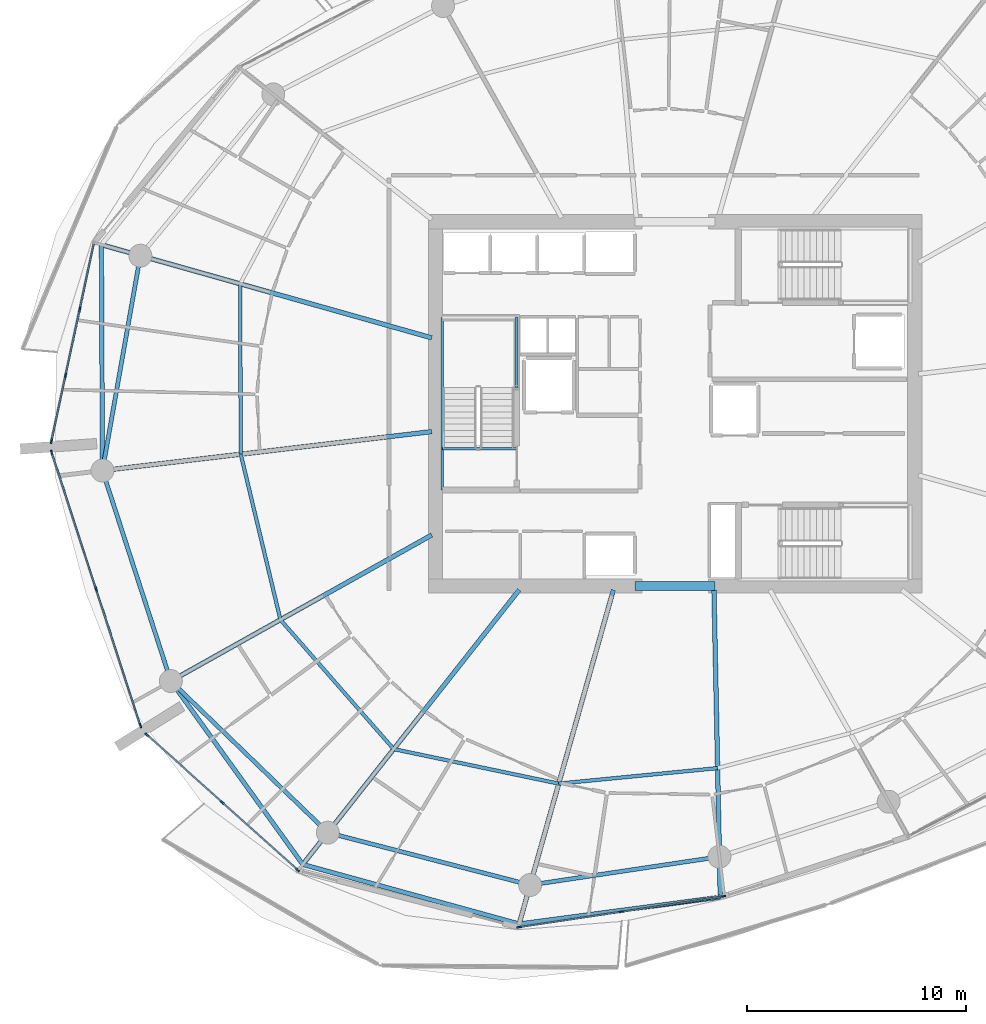
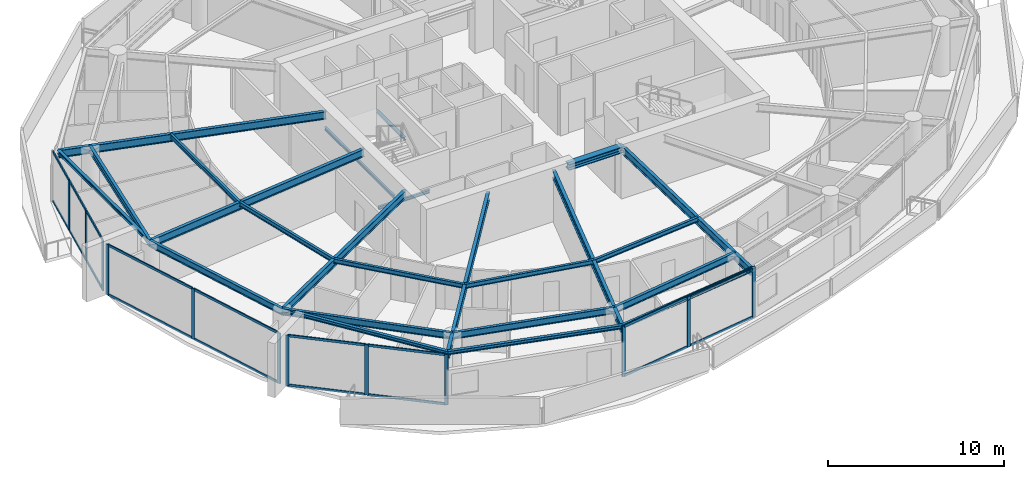
# One storey, part 5 of 21: 30 members, 24 beams, 4 elements without a shape of their own.
"""IFC4 building model written with IfcOpenShell, lengths in metres."""

from ifc_helpers import new_model, si_unit, direction, frame, origin, origin_2d, place, context, subcontext, project, spatial, rectangle, i_section, extrude, material, layer, layer_set, material_profile, profile_set, type_object, element, aggregate, save


model = new_model("IFC4")

# Units and contexts
model_context = context("Model", 3, precision=1e-05, world=origin(), true_north=direction((0.0, 1.0)))
body_context = subcontext(model_context, "Body", "Model", "MODEL_VIEW")
ifc_project = project(units=[si_unit("LENGTHUNIT", "METRE"), si_unit("AREAUNIT", "SQUARE_METRE"), si_unit("VOLUMEUNIT", "CUBIC_METRE"), si_unit("PLANEANGLEUNIT", "RADIAN"), si_unit("MASSUNIT", "GRAM", prefix="KILO")], contexts=[model_context])

# Site, building, storey
site_placement = place(None, origin())
site = spatial("IfcSite", under=ifc_project, at=site_placement, CompositionType="ELEMENT")
building_placement = place(site_placement, origin())
building = spatial("IfcBuilding", under=site, at=building_placement, Name="Kazma Halo Residences", CompositionType="ELEMENT")
storey_placement = place(building_placement, frame((0.0, 0.0, 180.300048828125)))
storey = spatial("IfcBuildingStorey", under=building, at=storey_placement, Name="L45", CompositionType="ELEMENT", Elevation=180.300048828125)

# Beams
ifc_material_1 = material(Name="Steel S355", Category="steel")
ifc_material_profile_1 = material_profile(ifc_material_1, i_section(OverallWidth=0.201904296875, OverallDepth=0.2470703125, WebThickness=0.00732421875, FlangeThickness=0.010986328125, FilletRadius=0.011962890625, at=origin_2d()), Name="W250x49.1")
ifc_profile_set_1 = profile_set([ifc_material_profile_1], Name="Steel S355")
beam_type_1 = type_object("IfcBeamType", Name="BM-BAL-CANT", PredefinedType="BEAM", material=ifc_profile_set_1)
for number, where, z_axis, x_axis, name in (
    (1, (22.19970703125, 49.276611328125, 3.37646484375), (0.004705663334, -0.999988928305, 0.0), (0.999988928305, 0.004705663334, 0.0), "L45 wave-balcony tie beam 07"),
    (2, (25.375, 29.329345703125, 3.37646484375), (0.583963922576, -0.811779611181, 0.0), (0.811779611181, 0.583963922576, 0.0), "L45 wave-balcony lead tie beam 09"),
):
    element("IfcBeam", number, at=place(storey_placement, frame(where, z_axis=z_axis, x_axis=x_axis)), inside=storey, type_object=beam_type_1, Name=name, PredefinedType="BEAM", context=body_context, shape_type="SweptSolid", body=[
        extrude(i_section(OverallWidth=0.201904296875, OverallDepth=0.2470703125, WebThickness=0.00732421875, FlangeThickness=0.010986328125, FilletRadius=0.011962890625, at=origin_2d()), origin(), (0.0, 0.0, 1.0), 10.324462890625),
    ])
beam_1_placement = place(storey_placement, frame((31.404052734375, 20.9482421875, 3.37646484375), z_axis=(0.964197026197, -0.265186905169, 0.0), x_axis=(0.265186905169, 0.964197026197, 0.0)))
element("IfcBeam", 3, at=beam_1_placement, inside=storey, type_object=beam_type_1, Name="L45 wave-balcony tie beam 10", PredefinedType="BEAM", context=body_context, shape_type="SweptSolid", body=[
    extrude(i_section(OverallWidth=0.201904296875, OverallDepth=0.2470703125, WebThickness=0.00732421875, FlangeThickness=0.010986328125, FilletRadius=0.011962890625, at=origin_2d()), origin(), (0.0, 0.0, 1.0), 10.258544921875),
])
beam_2_placement = place(storey_placement, frame((41.29541015625, 18.227783203125, 3.37646484375), z_axis=(0.99126671613, 0.131872277199, 0.0), x_axis=(-0.131872277199, 0.99126671613, 0.0)))
element("IfcBeam", 4, at=beam_2_placement, inside=storey, type_object=beam_type_1, Name="L45 wave-balcony tie beam 11", PredefinedType="BEAM", context=body_context, shape_type="SweptSolid", body=[
    extrude(i_section(OverallWidth=0.201904296875, OverallDepth=0.2470703125, WebThickness=0.00732421875, FlangeThickness=0.010986328125, FilletRadius=0.011962890625, at=origin_2d()), origin(), (0.0, 0.0, 1.0), 9.2734375),
])
ifc_material_profile_2 = material_profile(ifc_material_1, i_section(OverallWidth=0.408935546875, OverallDepth=0.425048828125, WebThickness=0.03271484375, FlangeThickness=0.052490234375, FilletRadius=0.02001953125, at=origin_2d()), Name="W360x421")
ifc_profile_set_2 = profile_set([ifc_material_profile_2], Name="Steel S355")
beam_type_2 = type_object("IfcBeamType", Name="BM-CORE-W360H", PredefinedType="BEAM", material=ifc_profile_set_2)
beam_3_placement = place(storey_placement, frame((46.60009765625, 33.675048828125, 3.287353515625), z_axis=(1.0, 0.0, 0.0), x_axis=(0.0, 1.0, 0.0)))
element("IfcBeam", 5, at=beam_3_placement, inside=storey, type_object=beam_type_2, Name="L45 core coupling beam S", PredefinedType="BEAM", context=body_context, shape_type="SweptSolid", body=[
    extrude(i_section(OverallWidth=0.408935546875, OverallDepth=0.425048828125, WebThickness=0.03271484375, FlangeThickness=0.052490234375, FilletRadius=0.02001953125, at=origin_2d()), origin(), (0.0, 0.0, 1.0), 3.64990234375),
])
ifc_material_profile_3 = material_profile(ifc_material_1, i_section(OverallWidth=0.208984375, OverallDepth=0.532958984375, WebThickness=0.01025390625, FlangeThickness=0.015625, FilletRadius=0.01611328125, at=origin_2d()), Name="W530x92")
ifc_profile_set_3 = profile_set([ifc_material_profile_3], Name="Steel S355")
beam_type_3 = type_object("IfcBeamType", Name="BM-RAD-W530", PredefinedType="BEAM", material=ifc_profile_set_3)
beam_4_placement = place(storey_placement, frame((37.300048828125, 45.017578125, 3.2333984375), z_axis=(-0.962450301448, 0.271457947467, 0.0), x_axis=(-0.271457947467, -0.962450301448, 0.0)))
element("IfcBeam", 6, at=beam_4_placement, inside=storey, type_object=beam_type_3, Name="L45 radial floor beam 07", PredefinedType="BEAM", context=body_context, shape_type="SweptSolid", body=[
    extrude(i_section(OverallWidth=0.208984375, OverallDepth=0.532958984375, WebThickness=0.01025390625, FlangeThickness=0.015625, FilletRadius=0.01611328125, at=origin_2d()), origin(), (0.0, 0.0, 1.0), 15.689453125),
])
beam_5_placement = place(storey_placement, frame((37.300048828125, 40.733642578125, 3.2333984375), z_axis=(-0.993068447674, -0.117537475875, 0.0), x_axis=(0.117537475875, -0.993068447674, 0.0)))
element("IfcBeam", 7, at=beam_5_placement, inside=storey, type_object=beam_type_3, Name="L45 radial floor beam 08", PredefinedType="BEAM", context=body_context, shape_type="SweptSolid", body=[
    extrude(i_section(OverallWidth=0.208984375, OverallDepth=0.532958984375, WebThickness=0.01025390625, FlangeThickness=0.015625, FilletRadius=0.01611328125, at=origin_2d()), origin(), (0.0, 0.0, 1.0), 15.15673828125),
])
beam_6_placement = place(storey_placement, frame((37.300048828125, 36.0078125, 3.2333984375), z_axis=(-0.872492308718, -0.488627845327, 0.0), x_axis=(0.488627845327, -0.872492308718, 0.0)))
element("IfcBeam", 8, at=beam_6_placement, inside=storey, type_object=beam_type_3, Name="L45 radial floor beam 09", PredefinedType="BEAM", context=body_context, shape_type="SweptSolid", body=[
    extrude(i_section(OverallWidth=0.208984375, OverallDepth=0.532958984375, WebThickness=0.01025390625, FlangeThickness=0.015625, FilletRadius=0.01611328125, at=origin_2d()), origin(), (0.0, 0.0, 1.0), 13.667724609375),
])
beam_7_placement = place(storey_placement, frame((41.299072265625, 33.5, 3.2333984375), z_axis=(-0.61909439419, -0.785316580165, 0.0), x_axis=(0.785316580165, -0.61909439419, 0.0)))
element("IfcBeam", 9, at=beam_7_placement, inside=storey, type_object=beam_type_3, Name="L45 radial floor beam 10", PredefinedType="BEAM", context=body_context, shape_type="SweptSolid", body=[
    extrude(i_section(OverallWidth=0.208984375, OverallDepth=0.532958984375, WebThickness=0.01025390625, FlangeThickness=0.015625, FilletRadius=0.01611328125, at=origin_2d()), origin(), (0.0, 0.0, 1.0), 15.983154296875),
])
beam_8_placement = place(storey_placement, frame((45.602783203125, 33.5, 3.2333984375), z_axis=(-0.271449932859, -0.962452561922, 0.0), x_axis=(0.962452561922, -0.271449932859, 0.0)))
element("IfcBeam", 10, at=beam_8_placement, inside=storey, type_object=beam_type_3, Name="L45 radial floor beam 11", PredefinedType="BEAM", context=body_context, shape_type="SweptSolid", body=[
    extrude(i_section(OverallWidth=0.208984375, OverallDepth=0.532958984375, WebThickness=0.01025390625, FlangeThickness=0.015625, FilletRadius=0.01611328125, at=origin_2d()), origin(), (0.0, 0.0, 1.0), 15.867919921875),
])
beam_9_placement = place(storey_placement, frame((50.199951171875, 33.5, 3.2333984375), z_axis=(0.020483658838, -0.99979018785, 0.0), x_axis=(0.99979018785, 0.020483658838, 0.0)))
element("IfcBeam", 11, at=beam_9_placement, inside=storey, type_object=beam_type_3, Name="L45 radial floor beam 12", PredefinedType="BEAM", context=body_context, shape_type="SweptSolid", body=[
    extrude(i_section(OverallWidth=0.208984375, OverallDepth=0.532958984375, WebThickness=0.01025390625, FlangeThickness=0.015625, FilletRadius=0.01611328125, at=origin_2d()), origin(), (0.0, 0.0, 1.0), 14.05224609375),
])
ifc_material_profile_4 = material_profile(ifc_material_1, i_section(OverallWidth=0.1650390625, OverallDepth=0.31005859375, WebThickness=0.005859375, FlangeThickness=0.009765625, FilletRadius=0.011962890625, at=origin_2d()), Name="W310x38.7")
ifc_profile_set_4 = profile_set([ifc_material_profile_4], Name="Steel S355")
beam_type_4 = type_object("IfcBeamType", Name="BM-SEC-W310B", PredefinedType="JOIST", material=ifc_profile_set_4)
beam_10_placement = place(storey_placement, frame((28.5419921875, 47.48779296875, 3.344970703125), z_axis=(0.003605218278, -0.999993501179, 0.0), x_axis=(0.999993501179, 0.003605218278, 0.0)))
element("IfcBeam", 12, at=beam_10_placement, inside=storey, type_object=beam_type_4, Name="L45 circumferential floor joist 07", PredefinedType="JOIST", context=body_context, shape_type="SweptSolid", body=[
    extrude(i_section(OverallWidth=0.1650390625, OverallDepth=0.31005859375, WebThickness=0.005859375, FlangeThickness=0.009765625, FilletRadius=0.011962890625, at=origin_2d()), origin(), (0.0, 0.0, 1.0), 7.78759765625),
])
beam_11_placement = place(storey_placement, frame((28.570068359375, 39.7001953125, 3.344970703125), z_axis=(0.233058429286, -0.972462733753, 0.0), x_axis=(0.972462733753, 0.233058429286, 0.0)))
element("IfcBeam", 13, at=beam_11_placement, inside=storey, type_object=beam_type_4, Name="L45 circumferential floor joist 08", PredefinedType="JOIST", context=body_context, shape_type="SweptSolid", body=[
    extrude(i_section(OverallWidth=0.1650390625, OverallDepth=0.31005859375, WebThickness=0.005859375, FlangeThickness=0.009765625, FilletRadius=0.011962890625, at=origin_2d()), origin(), (0.0, 0.0, 1.0), 7.7802734375),
])
beam_12_placement = place(storey_placement, frame((30.38330078125, 32.13427734375, 3.344970703125), z_axis=(0.658629944618, -0.75246700662, 0.0), x_axis=(0.75246700662, 0.658629944618, 0.0)))
element("IfcBeam", 14, at=beam_12_placement, inside=storey, type_object=beam_type_4, Name="L45 circumferential floor joist 09", PredefinedType="JOIST", context=body_context, shape_type="SweptSolid", body=[
    extrude(i_section(OverallWidth=0.1650390625, OverallDepth=0.31005859375, WebThickness=0.005859375, FlangeThickness=0.009765625, FilletRadius=0.011962890625, at=origin_2d()), origin(), (0.0, 0.0, 1.0), 7.85986328125),
])
beam_13_placement = place(storey_placement, frame((35.56005859375, 26.219970703125, 3.344970703125), z_axis=(0.978821484976, -0.204715657802, 0.0), x_axis=(0.204715657802, 0.978821484976, 0.0)))
element("IfcBeam", 15, at=beam_13_placement, inside=storey, type_object=beam_type_4, Name="L45 circumferential floor joist 10", PredefinedType="JOIST", context=body_context, shape_type="SweptSolid", body=[
    extrude(i_section(OverallWidth=0.1650390625, OverallDepth=0.31005859375, WebThickness=0.005859375, FlangeThickness=0.009765625, FilletRadius=0.011962890625, at=origin_2d()), origin(), (0.0, 0.0, 1.0), 7.707763671875),
])
beam_14_placement = place(storey_placement, frame((43.1044921875, 24.64208984375, 3.344970703125), z_axis=(0.995262165401, 0.097227681872, 0.0), x_axis=(-0.097227681872, 0.995262165401, 0.0)))
element("IfcBeam", 16, at=beam_14_placement, inside=storey, type_object=beam_type_4, Name="L45 circumferential floor joist 11", PredefinedType="JOIST", context=body_context, shape_type="SweptSolid", body=[
    extrude(i_section(OverallWidth=0.1650390625, OverallDepth=0.31005859375, WebThickness=0.005859375, FlangeThickness=0.009765625, FilletRadius=0.011962890625, at=origin_2d()), origin(), (0.0, 0.0, 1.0), 7.297119140625),
])
ifc_material_profile_5 = material_profile(ifc_material_1, i_section(OverallWidth=0.18994140625, OverallDepth=0.45703125, WebThickness=0.009033203125, FlangeThickness=0.014404296875, FilletRadius=0.01611328125, at=origin_2d()), Name="W460x74")
ifc_profile_set_5 = profile_set([ifc_material_profile_5], Name="Steel S355")
beam_type_5 = type_object("IfcBeamType", Name="BM-SPN-W460", PredefinedType="BEAM", material=ifc_profile_set_5)
beam_15_placement = place(storey_placement, frame((23.980224609375, 48.7744140625, 3.271484375), z_axis=(-0.173648484202, -0.984807698962, 0.0), x_axis=(0.984807698962, -0.173648484202, 0.0)))
element("IfcBeam", 17, at=beam_15_placement, inside=storey, type_object=beam_type_5, Name="L45 perimeter ring beam 07", PredefinedType="BEAM", context=body_context, shape_type="SweptSolid", body=[
    extrude(i_section(OverallWidth=0.18994140625, OverallDepth=0.45703125, WebThickness=0.009033203125, FlangeThickness=0.014404296875, FilletRadius=0.01611328125, at=origin_2d()), origin(), (0.0, 0.0, 1.0), 9.973876953125),
])
beam_16_placement = place(storey_placement, frame((22.248291015625, 38.9521484375, 3.271484375), z_axis=(0.309023327426, -0.951054458539, 0.0), x_axis=(0.951054458539, 0.309023327426, 0.0)))
element("IfcBeam", 18, at=beam_16_placement, inside=storey, type_object=beam_type_5, Name="L45 perimeter ring beam 08", PredefinedType="BEAM", context=body_context, shape_type="SweptSolid", body=[
    extrude(i_section(OverallWidth=0.18994140625, OverallDepth=0.45703125, WebThickness=0.009033203125, FlangeThickness=0.014404296875, FilletRadius=0.01611328125, at=origin_2d()), origin(), (0.0, 0.0, 1.0), 10.117919921875),
])
beam_17_placement = place(storey_placement, frame((25.375, 29.329345703125, 3.271484375), z_axis=(0.71933650181, -0.694661786169, 0.0), x_axis=(0.694661786169, 0.71933650181, 0.0)))
element("IfcBeam", 19, at=beam_17_placement, inside=storey, type_object=beam_type_5, Name="L45 perimeter ring beam 09", PredefinedType="BEAM", context=body_context, shape_type="SweptSolid", body=[
    extrude(i_section(OverallWidth=0.18994140625, OverallDepth=0.45703125, WebThickness=0.009033203125, FlangeThickness=0.014404296875, FilletRadius=0.01611328125, at=origin_2d()), origin(), (0.0, 0.0, 1.0), 9.9736328125),
])
beam_18_placement = place(storey_placement, frame((32.54931640625, 22.401123046875, 3.271484375), z_axis=(0.968120950739, -0.25048318255, 0.0), x_axis=(0.25048318255, 0.968120950739, 0.0)))
element("IfcBeam", 20, at=beam_18_placement, inside=storey, type_object=beam_type_5, Name="L45 perimeter ring beam 10", PredefinedType="BEAM", context=body_context, shape_type="SweptSolid", body=[
    extrude(i_section(OverallWidth=0.18994140625, OverallDepth=0.45703125, WebThickness=0.009033203125, FlangeThickness=0.014404296875, FilletRadius=0.01611328125, at=origin_2d()), origin(), (0.0, 0.0, 1.0), 9.552734375),
])
beam_19_placement = place(storey_placement, frame((41.797607421875, 20.00830078125, 3.271484375), z_axis=(0.98903439143, 0.147685383732, 0.0), x_axis=(-0.147685383732, 0.98903439143, 0.0)))
element("IfcBeam", 21, at=beam_19_placement, inside=storey, type_object=beam_type_5, Name="L45 perimeter ring beam 11", PredefinedType="BEAM", context=body_context, shape_type="SweptSolid", body=[
    extrude(i_section(OverallWidth=0.18994140625, OverallDepth=0.45703125, WebThickness=0.009033203125, FlangeThickness=0.014404296875, FilletRadius=0.01611328125, at=origin_2d()), origin(), (0.0, 0.0, 1.0), 8.748291015625),
])
ifc_material_profile_6 = material_profile(ifc_material_1, i_section(OverallWidth=0.133056640625, OverallDepth=0.20703125, WebThickness=0.005859375, FlangeThickness=0.00830078125, FilletRadius=0.010009765625, at=origin_2d()), Name="W200x26.6")
ifc_profile_set_6 = profile_set([ifc_material_profile_6], Name="Steel S355")
beam_type_6 = type_object("IfcBeamType", Name="BM-TRIM-W200", PredefinedType="BEAM", material=ifc_profile_set_6)
beam_20_placement = place(storey_placement, frame((37.800048828125, 39.949951171875, -0.360107421875), z_axis=(1.0, 0.0, 0.0), x_axis=(0.0, 1.0, 0.0)))
element("IfcBeam", 22, at=beam_20_placement, inside=storey, type_object=beam_type_6, Name="L45 ST-01 floor landing support beam", PredefinedType="BEAM", context=body_context, shape_type="SweptSolid", body=[
    extrude(i_section(OverallWidth=0.133056640625, OverallDepth=0.20703125, WebThickness=0.005859375, FlangeThickness=0.00830078125, FilletRadius=0.010009765625, at=origin_2d()), origin(), (0.0, 0.0, 1.0), 3.3798828125),
])
beam_21_placement = place(storey_placement, frame((37.780029296875, 38.06005859375, 1.570068359375), z_axis=(0.0, 1.0, 0.0), x_axis=(-1.0, 0.0, 0.0)))
element("IfcBeam", 23, at=beam_21_placement, inside=storey, type_object=beam_type_6, Name="L45 ST-01 landing west wall ledger", PredefinedType="BEAM", context=body_context, shape_type="SweptSolid", body=[
    extrude(i_section(OverallWidth=0.133056640625, OverallDepth=0.20703125, WebThickness=0.005859375, FlangeThickness=0.00830078125, FilletRadius=0.010009765625, at=origin_2d()), origin(), (0.0, 0.0, 1.0), 7.8798828125),
])
beam_22_placement = place(storey_placement, frame((41.179931640625, 42.75, 1.570068359375), z_axis=(0.0, 1.0, 0.0), x_axis=(-1.0, 0.0, 0.0)))
element("IfcBeam", 24, at=beam_22_placement, inside=storey, type_object=beam_type_6, Name="L45 ST-01 landing east wall ledger", PredefinedType="BEAM", context=body_context, shape_type="SweptSolid", body=[
    extrude(i_section(OverallWidth=0.133056640625, OverallDepth=0.20703125, WebThickness=0.005859375, FlangeThickness=0.00830078125, FilletRadius=0.010009765625, at=origin_2d()), origin(), (0.0, 0.0, 1.0), 3.18994140625),
])

# Curtain wall, members
ifc_material_2 = material(Name="Aluminium AW-6063 T6 and Triple-Silver Low-E Glass", Category="aluminium")
ifc_layer = layer(ifc_material_2, 0.219970703125)
ifc_layer_set = layer_set([ifc_layer], Name="Aluminium AW-6063 T6 and Triple-Silver Low-E Glass")
curtain_wall_type = type_object("IfcCurtainWallType", Name="CW-SYS-4", PredefinedType="NOTDEFINED", material=ifc_layer_set)
curtain_wall_1_placement = place(storey_placement, origin())
curtain_wall_1 = element("IfcCurtainWall", 25, at=curtain_wall_1_placement, inside=storey, type_object=curtain_wall_type, Name="L45 unitised curtain wall B07", PredefinedType="NOTDEFINED")
ifc_material_3 = material(Name="Aluminium AW-6063 T6", Category="aluminium")
ifc_material_profile_7 = material_profile(ifc_material_3, rectangle(XDim=0.074951171875, YDim=0.219970703125, at=origin_2d()), Name="CWM-75x220")
ifc_profile_set_7 = profile_set([ifc_material_profile_7], Name="Aluminium AW-6063 T6")
member_type_1 = type_object("IfcMemberType", Name="CW-SYS-4-MUL", PredefinedType="MULLION", material=ifc_profile_set_7)
member_1_placement = place(storey_placement, frame((21.212890625, 46.3330078125, 0.0), z_axis=(0.0, 0.0, 1.0), x_axis=(0.977768017212, -0.209689543175, 0.0)))
member_1 = element("IfcMember", 26, at=member_1_placement, type_object=member_type_1, Name="CWS-4 mullion 2", PredefinedType="MULLION", context=body_context, shape_type="SweptSolid", body=[
    extrude(rectangle(XDim=0.074951171875, YDim=0.219970703125, at=origin_2d()), origin(), (0.0, 0.0, 1.0), 3.5),
])
member_2_placement = place(storey_placement, frame((20.561279296875, 43.295166015625, 0.0), z_axis=(0.0, 0.0, 1.0), x_axis=(0.977768017212, -0.209689543175, 0.0)))
member_2 = element("IfcMember", 27, at=member_2_placement, type_object=member_type_1, Name="CWS-4 mullion 3", PredefinedType="MULLION", context=body_context, shape_type="SweptSolid", body=[
    extrude(rectangle(XDim=0.074951171875, YDim=0.219970703125, at=origin_2d()), origin(), (0.0, 0.0, 1.0), 3.5),
])
member_3_placement = place(storey_placement, frame((19.917724609375, 40.2939453125, 0.0), z_axis=(0.0, 0.0, 1.0), x_axis=(0.977768017212, -0.209689543175, 0.0)))
member_3 = element("IfcMember", 28, at=member_3_placement, type_object=member_type_1, Name="CWS-4 mullion 4", PredefinedType="MULLION", context=body_context, shape_type="SweptSolid", body=[
    extrude(rectangle(XDim=0.074951171875, YDim=0.219970703125, at=origin_2d()), origin(), (0.0, 0.0, 1.0), 3.5),
])

curtain_wall_2_placement = place(storey_placement, origin())
curtain_wall_2 = element("IfcCurtainWall", 29, at=curtain_wall_2_placement, inside=storey, type_object=curtain_wall_type, Name="L45 unitised curtain wall B08", PredefinedType="NOTDEFINED")
member_4_placement = place(storey_placement, frame((19.9287109375, 39.77880859375, 0.0), z_axis=(0.0, 0.0, 1.0), x_axis=(0.951056893636, 0.309015833038, 0.0)))
member_4 = element("IfcMember", 30, at=member_4_placement, type_object=member_type_1, Name="CWS-4 mullion 1", PredefinedType="MULLION", context=body_context, shape_type="SweptSolid", body=[
    extrude(rectangle(XDim=0.074951171875, YDim=0.219970703125, at=origin_2d()), origin(), (0.0, 0.0, 1.0), 3.5),
])
member_5_placement = place(storey_placement, frame((21.95654296875, 33.5380859375, 0.0), z_axis=(0.0, 0.0, 1.0), x_axis=(0.951056893636, 0.309015833038, 0.0)))
member_5 = element("IfcMember", 31, at=member_5_placement, type_object=member_type_1, Name="CWS-4 mullion 2", PredefinedType="MULLION", context=body_context, shape_type="SweptSolid", body=[
    extrude(rectangle(XDim=0.074951171875, YDim=0.219970703125, at=origin_2d()), origin(), (0.0, 0.0, 1.0), 3.5),
])
member_6_placement = place(storey_placement, frame((23.984375, 27.297119140625, 0.0), z_axis=(0.0, 0.0, 1.0), x_axis=(0.951056893636, 0.309015833038, 0.0)))
member_6 = element("IfcMember", 32, at=member_6_placement, type_object=member_type_1, Name="CWS-4 mullion 3", PredefinedType="MULLION", context=body_context, shape_type="SweptSolid", body=[
    extrude(rectangle(XDim=0.074951171875, YDim=0.219970703125, at=origin_2d()), origin(), (0.0, 0.0, 1.0), 3.5),
])

curtain_wall_3_placement = place(storey_placement, origin())
curtain_wall_3 = element("IfcCurtainWall", 33, at=curtain_wall_3_placement, inside=storey, type_object=curtain_wall_type, Name="L45 unitised curtain wall B09", PredefinedType="NOTDEFINED")
member_7_placement = place(storey_placement, frame((24.2783203125, 26.873779296875, 0.0), z_axis=(0.0, 0.0, 1.0), x_axis=(0.667784328806, 0.744354814723, 0.0)))
member_7 = element("IfcMember", 34, at=member_7_placement, type_object=member_type_1, Name="CWS-4 mullion 1", PredefinedType="MULLION", context=body_context, shape_type="SweptSolid", body=[
    extrude(rectangle(XDim=0.074951171875, YDim=0.219970703125, at=origin_2d()), origin(), (0.0, 0.0, 1.0), 3.5),
])
member_8_placement = place(storey_placement, frame((27.719482421875, 23.786865234375, 0.0), z_axis=(0.0, 0.0, 1.0), x_axis=(0.667784328806, 0.744354814723, 0.0)))
member_8 = element("IfcMember", 35, at=member_8_placement, type_object=member_type_1, Name="CWS-4 mullion 2", PredefinedType="MULLION", context=body_context, shape_type="SweptSolid", body=[
    extrude(rectangle(XDim=0.074951171875, YDim=0.219970703125, at=origin_2d()), origin(), (0.0, 0.0, 1.0), 3.5),
])
member_9_placement = place(storey_placement, frame((31.160400390625, 20.69970703125, 0.0), z_axis=(0.0, 0.0, 1.0), x_axis=(0.667784328806, 0.744354814723, 0.0)))
member_9 = element("IfcMember", 36, at=member_9_placement, type_object=member_type_1, Name="CWS-4 mullion 3", PredefinedType="MULLION", context=body_context, shape_type="SweptSolid", body=[
    extrude(rectangle(XDim=0.074951171875, YDim=0.219970703125, at=origin_2d()), origin(), (0.0, 0.0, 1.0), 3.5),
])

curtain_wall_4_placement = place(storey_placement, origin())
curtain_wall_4 = element("IfcCurtainWall", 37, at=curtain_wall_4_placement, inside=storey, type_object=curtain_wall_type, Name="L45 unitised curtain wall B11", PredefinedType="NOTDEFINED")
member_10_placement = place(storey_placement, frame((41.291259765625, 18.086669921875, 0.0), z_axis=(0.0, 0.0, 1.0), x_axis=(-0.148772639188, 0.988871428361, 0.0)))
member_10 = element("IfcMember", 38, at=member_10_placement, type_object=member_type_1, Name="CWS-4 mullion 1", PredefinedType="MULLION", context=body_context, shape_type="SweptSolid", body=[
    extrude(rectangle(XDim=0.074951171875, YDim=0.219970703125, at=origin_2d()), origin(), (0.0, 0.0, 1.0), 3.5),
])
member_11_placement = place(storey_placement, frame((45.958740234375, 18.788818359375, 0.0), z_axis=(0.0, 0.0, 1.0), x_axis=(-0.148772639188, 0.988871428361, 0.0)))
member_11 = element("IfcMember", 39, at=member_11_placement, type_object=member_type_1, Name="CWS-4 mullion 2", PredefinedType="MULLION", context=body_context, shape_type="SweptSolid", body=[
    extrude(rectangle(XDim=0.074951171875, YDim=0.219970703125, at=origin_2d()), origin(), (0.0, 0.0, 1.0), 3.5),
])
member_12_placement = place(storey_placement, frame((50.626220703125, 19.490966796875, 0.0), z_axis=(0.0, 0.0, 1.0), x_axis=(-0.148772639188, 0.988871428361, 0.0)))
member_12 = element("IfcMember", 40, at=member_12_placement, type_object=member_type_1, Name="CWS-4 mullion 3", PredefinedType="MULLION", context=body_context, shape_type="SweptSolid", body=[
    extrude(rectangle(XDim=0.074951171875, YDim=0.219970703125, at=origin_2d()), origin(), (0.0, 0.0, 1.0), 3.5),
])

# Member
ifc_material_profile_8 = material_profile(ifc_material_3, rectangle(XDim=0.074951171875, YDim=0.1650390625, at=origin_2d()), Name="CWT-75x165")
ifc_profile_set_8 = profile_set([ifc_material_profile_8], Name="Aluminium AW-6063 T6")
member_type_2 = type_object("IfcMemberType", Name="CW-SYS-4-TRN", PredefinedType="USERDEFINED", material=ifc_profile_set_8)
member_13_placement = place(storey_placement, frame((21.8486328125, 49.297607421875, 0.037353515625), z_axis=(-0.209707268418, -0.977764215735, 0.0), x_axis=(0.977764215735, -0.209707268418, 0.0)))
member_13 = element("IfcMember", 41, at=member_13_placement, type_object=member_type_2, Name="CWS-4 transom 1.1", ObjectType="TRANSOM", PredefinedType="USERDEFINED", context=body_context, shape_type="SweptSolid", body=[
    extrude(rectangle(XDim=0.074951171875, YDim=0.1650390625, at=origin_2d()), origin(), (0.0, 0.0, 1.0), 2.994384765625),
])

member_14_placement = place(storey_placement, frame((21.8486328125, 49.297607421875, 3.46240234375), z_axis=(-0.209707268418, -0.977764215735, 0.0), x_axis=(0.977764215735, -0.209707268418, 0.0)))
member_14 = element("IfcMember", 42, at=member_14_placement, type_object=member_type_2, Name="CWS-4 transom 1.2", ObjectType="TRANSOM", PredefinedType="USERDEFINED", context=body_context, shape_type="SweptSolid", body=[
    extrude(rectangle(XDim=0.074951171875, YDim=0.1650390625, at=origin_2d()), origin(), (0.0, 0.0, 1.0), 2.994384765625),
])

member_15_placement = place(storey_placement, frame((21.205078125, 46.29638671875, 0.037353515625), z_axis=(-0.209677559804, -0.977770587057, 0.0), x_axis=(0.977770587057, -0.209677559804, 0.0)))
member_15 = element("IfcMember", 43, at=member_15_placement, type_object=member_type_2, Name="CWS-4 transom 2.1", ObjectType="TRANSOM", PredefinedType="USERDEFINED", context=body_context, shape_type="SweptSolid", body=[
    extrude(rectangle(XDim=0.074951171875, YDim=0.1650390625, at=origin_2d()), origin(), (0.0, 0.0, 1.0), 3.031982421875),
])

member_16_placement = place(storey_placement, frame((21.205078125, 46.29638671875, 3.46240234375), z_axis=(-0.209677559804, -0.977770587057, 0.0), x_axis=(0.977770587057, -0.209677559804, 0.0)))
member_16 = element("IfcMember", 44, at=member_16_placement, type_object=member_type_2, Name="CWS-4 transom 2.2", ObjectType="TRANSOM", PredefinedType="USERDEFINED", context=body_context, shape_type="SweptSolid", body=[
    extrude(rectangle(XDim=0.074951171875, YDim=0.1650390625, at=origin_2d()), origin(), (0.0, 0.0, 1.0), 3.031982421875),
])

member_17_placement = place(storey_placement, frame((20.553466796875, 43.258544921875, 0.037353515625), z_axis=(-0.209690551496, -0.97776780097, 0.0), x_axis=(0.97776780097, -0.209690551496, 0.0)))
member_17 = element("IfcMember", 45, at=member_17_placement, type_object=member_type_2, Name="CWS-4 transom 3.1", ObjectType="TRANSOM", PredefinedType="USERDEFINED", context=body_context, shape_type="SweptSolid", body=[
    extrude(rectangle(XDim=0.074951171875, YDim=0.1650390625, at=origin_2d()), origin(), (0.0, 0.0, 1.0), 2.99462890625),
])

member_18_placement = place(storey_placement, frame((20.553466796875, 43.258544921875, 3.46240234375), z_axis=(-0.209690551496, -0.97776780097, 0.0), x_axis=(0.97776780097, -0.209690551496, 0.0)))
member_18 = element("IfcMember", 46, at=member_18_placement, type_object=member_type_2, Name="CWS-4 transom 3.2", ObjectType="TRANSOM", PredefinedType="USERDEFINED", context=body_context, shape_type="SweptSolid", body=[
    extrude(rectangle(XDim=0.074951171875, YDim=0.1650390625, at=origin_2d()), origin(), (0.0, 0.0, 1.0), 2.99462890625),
])

aggregate(curtain_wall_1, [member_1, member_2, member_3, member_13, member_14, member_15, member_16, member_17, member_18])

member_19_placement = place(storey_placement, frame((19.9404296875, 39.7431640625, 0.037353515625), z_axis=(0.30902650142, -0.951053427217, 0.0), x_axis=(0.951053427217, 0.30902650142, 0.0)))
member_19 = element("IfcMember", 47, at=member_19_placement, type_object=member_type_2, Name="CWS-4 transom 1.1", ObjectType="TRANSOM", PredefinedType="USERDEFINED", context=body_context, shape_type="SweptSolid", body=[
    extrude(rectangle(XDim=0.074951171875, YDim=0.1650390625, at=origin_2d()), origin(), (0.0, 0.0, 1.0), 6.487060546875),
])

member_20_placement = place(storey_placement, frame((19.9404296875, 39.7431640625, 3.46240234375), z_axis=(0.30902650142, -0.951053427217, 0.0), x_axis=(0.951053427217, 0.30902650142, 0.0)))
member_20 = element("IfcMember", 48, at=member_20_placement, type_object=member_type_2, Name="CWS-4 transom 1.2", ObjectType="TRANSOM", PredefinedType="USERDEFINED", context=body_context, shape_type="SweptSolid", body=[
    extrude(rectangle(XDim=0.074951171875, YDim=0.1650390625, at=origin_2d()), origin(), (0.0, 0.0, 1.0), 6.487060546875),
])

member_21_placement = place(storey_placement, frame((21.968017578125, 33.50244140625, 0.037353515625), z_axis=(0.309015440644, -0.951057021132, 0.0), x_axis=(0.951057021132, 0.309015440644, 0.0)))
member_21 = element("IfcMember", 49, at=member_21_placement, type_object=member_type_2, Name="CWS-4 transom 2.1", ObjectType="TRANSOM", PredefinedType="USERDEFINED", context=body_context, shape_type="SweptSolid", body=[
    extrude(rectangle(XDim=0.074951171875, YDim=0.1650390625, at=origin_2d()), origin(), (0.0, 0.0, 1.0), 6.487060546875),
])

member_22_placement = place(storey_placement, frame((21.968017578125, 33.50244140625, 3.46240234375), z_axis=(0.309015440644, -0.951057021132, 0.0), x_axis=(0.951057021132, 0.309015440644, 0.0)))
member_22 = element("IfcMember", 50, at=member_22_placement, type_object=member_type_2, Name="CWS-4 transom 2.2", ObjectType="TRANSOM", PredefinedType="USERDEFINED", context=body_context, shape_type="SweptSolid", body=[
    extrude(rectangle(XDim=0.074951171875, YDim=0.1650390625, at=origin_2d()), origin(), (0.0, 0.0, 1.0), 6.487060546875),
])

aggregate(curtain_wall_2, [member_4, member_5, member_6, member_19, member_20, member_21, member_22])

member_23_placement = place(storey_placement, frame((24.30615234375, 26.848876953125, 0.037353515625), z_axis=(0.744344906673, -0.667795372783, 0.0), x_axis=(0.667795372783, 0.744344906673, 0.0)))
member_23 = element("IfcMember", 51, at=member_23_placement, type_object=member_type_2, Name="CWS-4 transom 1.1", ObjectType="TRANSOM", PredefinedType="USERDEFINED", context=body_context, shape_type="SweptSolid", body=[
    extrude(rectangle(XDim=0.074951171875, YDim=0.1650390625, at=origin_2d()), origin(), (0.0, 0.0, 1.0), 4.5478515625),
])

member_24_placement = place(storey_placement, frame((24.30615234375, 26.848876953125, 3.46240234375), z_axis=(0.744344906673, -0.667795372783, 0.0), x_axis=(0.667795372783, 0.744344906673, 0.0)))
member_24 = element("IfcMember", 52, at=member_24_placement, type_object=member_type_2, Name="CWS-4 transom 1.2", ObjectType="TRANSOM", PredefinedType="USERDEFINED", context=body_context, shape_type="SweptSolid", body=[
    extrude(rectangle(XDim=0.074951171875, YDim=0.1650390625, at=origin_2d()), origin(), (0.0, 0.0, 1.0), 4.5478515625),
])

member_25_placement = place(storey_placement, frame((27.747314453125, 23.76171875, 0.037353515625), z_axis=(0.744344906673, -0.667795372783, 0.0), x_axis=(0.667795372783, 0.744344906673, 0.0)))
member_25 = element("IfcMember", 53, at=member_25_placement, type_object=member_type_2, Name="CWS-4 transom 2.1", ObjectType="TRANSOM", PredefinedType="USERDEFINED", context=body_context, shape_type="SweptSolid", body=[
    extrude(rectangle(XDim=0.074951171875, YDim=0.1650390625, at=origin_2d()), origin(), (0.0, 0.0, 1.0), 4.5478515625),
])

member_26_placement = place(storey_placement, frame((27.747314453125, 23.76171875, 3.46240234375), z_axis=(0.744344906673, -0.667795372783, 0.0), x_axis=(0.667795372783, 0.744344906673, 0.0)))
member_26 = element("IfcMember", 54, at=member_26_placement, type_object=member_type_2, Name="CWS-4 transom 2.2", ObjectType="TRANSOM", PredefinedType="USERDEFINED", context=body_context, shape_type="SweptSolid", body=[
    extrude(rectangle(XDim=0.074951171875, YDim=0.1650390625, at=origin_2d()), origin(), (0.0, 0.0, 1.0), 4.5478515625),
])

aggregate(curtain_wall_3, [member_7, member_8, member_9, member_23, member_24, member_25, member_26])

member_27_placement = place(storey_placement, frame((41.328369140625, 18.092041015625, 0.037353515625), z_axis=(0.988867623216, 0.148797929272, 0.0), x_axis=(-0.148797929272, 0.988867623216, 0.0)))
member_27 = element("IfcMember", 55, at=member_27_placement, type_object=member_type_2, Name="CWS-4 transom 1.1", ObjectType="TRANSOM", PredefinedType="USERDEFINED", context=body_context, shape_type="SweptSolid", body=[
    extrude(rectangle(XDim=0.074951171875, YDim=0.1650390625, at=origin_2d()), origin(), (0.0, 0.0, 1.0), 4.64501953125),
])

member_28_placement = place(storey_placement, frame((41.328369140625, 18.092041015625, 3.46240234375), z_axis=(0.988867623216, 0.148797929272, 0.0), x_axis=(-0.148797929272, 0.988867623216, 0.0)))
member_28 = element("IfcMember", 56, at=member_28_placement, type_object=member_type_2, Name="CWS-4 transom 1.2", ObjectType="TRANSOM", PredefinedType="USERDEFINED", context=body_context, shape_type="SweptSolid", body=[
    extrude(rectangle(XDim=0.074951171875, YDim=0.1650390625, at=origin_2d()), origin(), (0.0, 0.0, 1.0), 4.64501953125),
])

member_29_placement = place(storey_placement, frame((45.995849609375, 18.79443359375, 0.037353515625), z_axis=(0.988876518566, 0.148738801357, 0.0), x_axis=(-0.148738801357, 0.988876518566, 0.0)))
member_29 = element("IfcMember", 57, at=member_29_placement, type_object=member_type_2, Name="CWS-4 transom 2.1", ObjectType="TRANSOM", PredefinedType="USERDEFINED", context=body_context, shape_type="SweptSolid", body=[
    extrude(rectangle(XDim=0.074951171875, YDim=0.1650390625, at=origin_2d()), origin(), (0.0, 0.0, 1.0), 4.645263671875),
])

member_30_placement = place(storey_placement, frame((45.995849609375, 18.79443359375, 3.46240234375), z_axis=(0.988876518566, 0.148738801357, 0.0), x_axis=(-0.148738801357, 0.988876518566, 0.0)))
member_30 = element("IfcMember", 58, at=member_30_placement, type_object=member_type_2, Name="CWS-4 transom 2.2", ObjectType="TRANSOM", PredefinedType="USERDEFINED", context=body_context, shape_type="SweptSolid", body=[
    extrude(rectangle(XDim=0.074951171875, YDim=0.1650390625, at=origin_2d()), origin(), (0.0, 0.0, 1.0), 4.645263671875),
])

aggregate(curtain_wall_4, [member_10, member_11, member_12, member_27, member_28, member_29, member_30])

save(model, "model.ifc")
